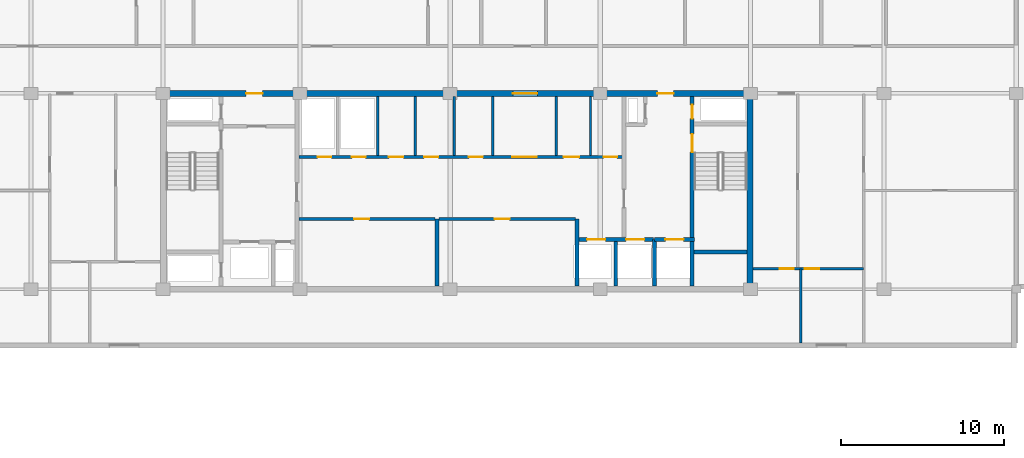
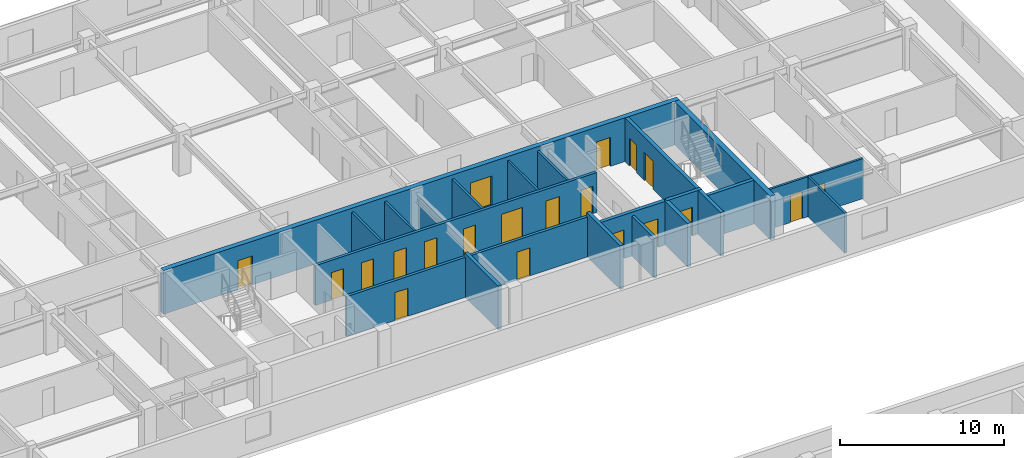
# One storey, part 12 of 22: 21 walls, 20 doors, 20 openings.
"""IFC4 building model written with IfcOpenShell, lengths in metres."""

from ifc_helpers import new_model, si_unit, direction, frame, frame_2d, origin, place, context, subcontext, project, spatial, rectangle, extrude, material, layer, layer_set, type_object, element, fill, save


model = new_model("IFC4")

# Units and contexts
model_context = context("Model", 3, precision=1e-05, world=origin(), true_north=direction((0.0, 1.0)))
body_context = subcontext(model_context, "Body", "Model", "MODEL_VIEW")
ifc_project = project(units=[si_unit("LENGTHUNIT", "METRE"), si_unit("AREAUNIT", "SQUARE_METRE"), si_unit("VOLUMEUNIT", "CUBIC_METRE"), si_unit("PLANEANGLEUNIT", "RADIAN"), si_unit("MASSUNIT", "GRAM", prefix="KILO")], contexts=[model_context])

# Site, building, storey
site_placement = place(None, origin())
site = spatial("IfcSite", under=ifc_project, at=site_placement, CompositionType="ELEMENT")
building_placement = place(site_placement, origin())
building = spatial("IfcBuilding", under=site, at=building_placement, Name="Korimba Cascade Residences", CompositionType="ELEMENT")
storey_placement = place(building_placement, frame((0.0, 0.0, 191.35009765625)))
storey = spatial("IfcBuildingStorey", under=building, at=storey_placement, Name="L55", CompositionType="ELEMENT", Elevation=191.35009765625)

# Wall
ifc_material_1 = material(Name="Concrete C65/80", Category="concrete")
ifc_layer_1 = layer(ifc_material_1, 0.35009765625)
ifc_layer_set_1 = layer_set([ifc_layer_1], Name="Concrete C65/80")
wall_type_1 = type_object("IfcWallType", Name="WAL-CORE-350", PredefinedType="SHEAR", material=ifc_layer_set_1)
wall_1_placement = place(storey_placement, frame((112.074951171875, 55.375, 0.0), z_axis=(0.0, 0.0, 1.0), x_axis=(0.0, 1.0, 0.0)))
element("IfcWall", 1, at=wall_1_placement, inside=storey, type_object=wall_type_1, Name="L55 Core Shear Wall CW-L55-T1-E", PredefinedType="SHEAR", context=body_context, shape_type="SweptSolid", body=[
    extrude(rectangle(XDim=11.64990234375, YDim=0.35009765625, at=frame_2d((5.824951171875, 0.0))), origin(), (0.0, 0.0, 1.0), 3.25),
])

# Wall, openings, doors
wall_2_placement = place(storey_placement, frame((75.949951171875, 67.199951171875, 0.0), z_axis=(0.0, 0.0, 1.0), x_axis=(1.0, 0.0, 0.0)))
wall_2 = element("IfcWall", 2, at=wall_2_placement, inside=storey, type_object=wall_type_1, Name="L55 Core Shear Wall CW-L55-T1-N", PredefinedType="SHEAR", context=body_context, shape_type="SweptSolid", body=[
    extrude(rectangle(XDim=36.300048828125, YDim=0.35009765625, at=frame_2d((18.14990234375, 0.0))), origin(), (0.0, 0.0, 1.0), 3.25),
])
opening_1_placement = place(wall_2_placement, frame((5.25, 0.0, 0.0)))
opening_1 = element("IfcOpeningElement", 3, at=opening_1_placement, cuts=wall_2, Name="Opening D-FD5", PredefinedType="OPENING", context=body_context, shape_type="SweptSolid", body=[
    extrude(rectangle(XDim=1.0, YDim=2.14990234375, at=frame_2d((0.5, 1.074951171875))), frame((0.0, 0.18505859375, 0.0), z_axis=(0.0, -1.0, 0.0), x_axis=(1.0, 0.0, 0.0)), (0.0, 0.0, 1.0), 0.3701171875),
])
opening_2_placement = place(wall_2_placement, frame((21.60009765625, 0.0, 0.0)))
opening_2 = element("IfcOpeningElement", 4, at=opening_2_placement, cuts=wall_2, Name="Opening D-FD8", PredefinedType="OPENING", context=body_context, shape_type="SweptSolid", body=[
    extrude(rectangle(XDim=1.5, YDim=2.199951171875, at=frame_2d((0.75, 1.10009765625))), frame((0.0, 0.18505859375, 0.0), z_axis=(0.0, -1.0, 0.0), x_axis=(1.0, 0.0, 0.0)), (0.0, 0.0, 1.0), 0.3701171875),
])
opening_3_placement = place(wall_2_placement, frame((30.449951171875, 0.0, 0.0)))
opening_3 = element("IfcOpeningElement", 5, at=opening_3_placement, cuts=wall_2, Name="Opening D-FD5", PredefinedType="OPENING", context=body_context, shape_type="SweptSolid", body=[
    extrude(rectangle(XDim=1.0, YDim=2.14990234375, at=frame_2d((0.5, 1.074951171875))), frame((0.0, 0.18505859375, 0.0), z_axis=(0.0, -1.0, 0.0), x_axis=(1.0, 0.0, 0.0)), (0.0, 0.0, 1.0), 0.3701171875),
])
ifc_material_2 = material(Name="Fire-Rated Acoustic Timber Vestibule Door", Category="wood")
door_type_1 = type_object("IfcDoorType", Name="DR-FD90-1000", OperationType="NOTDEFINED", PredefinedType="DOOR", material=ifc_material_2)
door_1_placement = place(opening_1_placement, origin())
door_1 = element("IfcDoor", 6, at=door_1_placement, inside=storey, type_object=door_type_1, Name="L55 T1 West Core Vestibule Fire Door", OperationType="SINGLE_SWING_RIGHT", OverallHeight=2.14990234375, OverallWidth=1.0, PredefinedType="DOOR", context=body_context, shape_type="SweptSolid", body=[
    extrude(rectangle(XDim=1.0, YDim=2.14990234375, at=frame_2d((0.5, 1.074951171875))), frame((0.0, 0.02490234375, 0.0), z_axis=(0.0, -1.0, 0.0), x_axis=(1.0, 0.0, 0.0)), (0.0, 0.0, 1.0), 0.050048828125),
])
fill(opening_1, door_1)
door_2_placement = place(opening_3_placement, origin())
door_2 = element("IfcDoor", 7, at=door_2_placement, inside=storey, type_object=door_type_1, Name="L55 T1 East Firefighting Vestibule Fire Door", OperationType="SINGLE_SWING_LEFT", OverallHeight=2.14990234375, OverallWidth=1.0, PredefinedType="DOOR", context=body_context, shape_type="SweptSolid", body=[
    extrude(rectangle(XDim=1.0, YDim=2.14990234375, at=frame_2d((0.5, 1.074951171875))), frame((0.0, 0.02490234375, 0.0), z_axis=(0.0, -1.0, 0.0), x_axis=(1.0, 0.0, 0.0)), (0.0, 0.0, 1.0), 0.050048828125),
])
fill(opening_3, door_2)
ifc_material_3 = material(Name="Fire-Rated Glazed Lift Lobby Double Door", Category="glass")
door_type_2 = type_object("IfcDoorType", Name="DR-FD90-1500", OperationType="NOTDEFINED", PredefinedType="DOOR", material=ifc_material_3)
door_3_placement = place(opening_2_placement, origin())
door_3 = element("IfcDoor", 8, at=door_3_placement, inside=storey, type_object=door_type_2, Name="L55 T1 Lift Lobby Fire Door", OperationType="DOUBLE_DOOR_SINGLE_SWING", OverallHeight=2.199951171875, OverallWidth=1.5, PredefinedType="DOOR", context=body_context, shape_type="SweptSolid", body=[
    extrude(rectangle(XDim=1.5, YDim=2.199951171875, at=frame_2d((0.75, 1.10009765625))), frame((0.0, 0.02490234375, 0.0), z_axis=(0.0, -1.0, 0.0), x_axis=(1.0, 0.0, 0.0)), (0.0, 0.0, 1.0), 0.050048828125),
])
fill(opening_2, door_3)

# Walls
ifc_material_4 = material(Name="Insulated Acoustic Stud Partition", Category="gypsum")
ifc_layer_2 = layer(ifc_material_4, 0.14990234375)
ifc_layer_set_2 = layer_set([ifc_layer_2], Name="Insulated Acoustic Stud Partition")
wall_type_2 = type_object("IfcWallType", Name="WAL-PART-150", PredefinedType="PARTITIONING", material=ifc_layer_set_2)
for number, where, z_axis, x_axis, name in (
    (9, (89.25, 63.39990234375, 0.0), (0.0, 0.0, 1.0), (0.0, 1.0, 0.0), "L55 Partition Wall CW-L55-T1-PRDIV"),
    (10, (91.550048828125, 63.39990234375, 0.0), (0.0, 0.0, 1.0), (0.0, 1.0, 0.0), "L55 Partition Wall CW-L55-T1-CA1W1"),
):
    element("IfcWall", number, at=place(storey_placement, frame(where, z_axis=z_axis, x_axis=x_axis)), inside=storey, type_object=wall_type_2, Name=name, PredefinedType="PARTITIONING", context=body_context, shape_type="SweptSolid", body=[
        extrude(rectangle(XDim=3.60009765625, YDim=0.14990234375, at=frame_2d((1.800048828125, 0.0))), origin(), (0.0, 0.0, 1.0), 2.969970703125),
    ])
wall_3_placement = place(storey_placement, frame((93.949951171875, 63.39990234375, 0.0), z_axis=(0.0, 0.0, 1.0), x_axis=(0.0, 1.0, 0.0)))
element("IfcWall", 11, at=wall_3_placement, inside=storey, type_object=wall_type_2, Name="L55 Partition Wall CW-L55-T1-CA1W2", PredefinedType="PARTITIONING", context=body_context, shape_type="SweptSolid", body=[
    extrude(rectangle(XDim=3.60009765625, YDim=0.14990234375, at=frame_2d((1.800048828125, 0.0))), origin(), (0.0, 0.0, 1.0), 2.277099609375),
])
for number, where, z_axis, x_axis, name in (
    (12, (102.300048828125, 63.39990234375, 0.0), (0.0, 0.0, 1.0), (0.0, 1.0, 0.0), "L55 Partition Wall CW-L55-T1-CA1E1"),
    (13, (96.300048828125, 63.39990234375, 0.0), (0.0, 0.0, 1.0), (0.0, 1.0, 0.0), "L55 Partition Wall CW-L55-T1-THW"),
    (14, (100.199951171875, 63.39990234375, 0.0), (0.0, 0.0, 1.0), (0.0, 1.0, 0.0), "L55 Partition Wall CW-L55-T1-THE"),
):
    element("IfcWall", number, at=place(storey_placement, frame(where, z_axis=z_axis, x_axis=x_axis)), inside=storey, type_object=wall_type_2, Name=name, PredefinedType="PARTITIONING", context=body_context, shape_type="SweptSolid", body=[
        extrude(rectangle(XDim=3.60009765625, YDim=0.14990234375, at=frame_2d((1.800048828125, 0.0))), origin(), (0.0, 0.0, 1.0), 2.969970703125),
    ])
wall_4_placement = place(storey_placement, frame((115.199951171875, 51.89990234375, 0.0), z_axis=(0.0, 0.0, 1.0), x_axis=(0.0, 1.0, 0.0)))
element("IfcWall", 15, at=wall_4_placement, inside=storey, type_object=wall_type_2, Name="L55 Partition Wall WAL-L55-T1-FE-VS", PredefinedType="PARTITIONING", context=body_context, shape_type="SweptSolid", body=[
    extrude(rectangle(XDim=4.550048828125, YDim=0.14990234375, at=frame_2d((2.27490234375, 0.0))), origin(), (0.0, 0.0, 1.0), 2.969970703125),
])

# Wall, openings, doors
wall_5_placement = place(storey_placement, frame((112.27001953125, 56.449951171875, 0.0), z_axis=(0.0, 0.0, 1.0), x_axis=(1.0, 0.0, 0.0)))
wall_5 = element("IfcWall", 16, at=wall_5_placement, inside=storey, type_object=wall_type_2, Name="L55 Partition Wall WAL-L55-T1-FE-H", PredefinedType="PARTITIONING", context=body_context, shape_type="SweptSolid", body=[
    extrude(rectangle(XDim=6.760009765625, YDim=0.14990234375, at=frame_2d((3.3798828125, 0.0))), origin(), (0.0, 0.0, 1.0), 2.969970703125),
])
opening_4_placement = place(wall_5_placement, frame((1.6396484375, 0.0, 0.0)))
opening_4 = element("IfcOpeningElement", 17, at=opening_4_placement, cuts=wall_5, Name="Opening D-BT1", PredefinedType="OPENING", context=body_context, shape_type="SweptSolid", body=[
    extrude(rectangle(XDim=0.840087890625, YDim=2.0400390625, at=frame_2d((0.419921875, 1.02001953125))), frame((0.0, 0.0849609375, 0.0), z_axis=(0.0, -1.0, 0.0), x_axis=(1.0, 0.0, 0.0)), (0.0, 0.0, 1.0), 0.169921875),
])
opening_5_placement = place(wall_5_placement, frame((3.160400390625, 0.0, 0.0)))
opening_5 = element("IfcOpeningElement", 18, at=opening_5_placement, cuts=wall_5, Name="Opening D-IN2", PredefinedType="OPENING", context=body_context, shape_type="SweptSolid", body=[
    extrude(rectangle(XDim=0.8798828125, YDim=2.06005859375, at=frame_2d((0.43994140625, 1.030029296875))), frame((0.0, 0.0849609375, 0.0), z_axis=(0.0, -1.0, 0.0), x_axis=(1.0, 0.0, 0.0)), (0.0, 0.0, 1.0), 0.169921875),
])
ifc_material_5 = material(Name="Moisture-Resistant Bathroom Timber Door", Category="wood")
door_type_3 = type_object("IfcDoorType", Name="DR-INT-850", OperationType="NOTDEFINED", PredefinedType="DOOR", material=ifc_material_5)
door_4_placement = place(opening_4_placement, origin())
door_4 = element("IfcDoor", 19, at=door_4_placement, inside=storey, type_object=door_type_3, Name="L55-T1-FE Bathroom Door", OperationType="SINGLE_SWING_RIGHT", OverallHeight=2.0400390625, OverallWidth=0.840087890625, PredefinedType="DOOR", context=body_context, shape_type="SweptSolid", body=[
    extrude(rectangle(XDim=0.840087890625, YDim=2.0400390625, at=frame_2d((0.419921875, 1.02001953125))), frame((0.0, 0.02490234375, 0.0), z_axis=(0.0, -1.0, 0.0), x_axis=(1.0, 0.0, 0.0)), (0.0, 0.0, 1.0), 0.050048828125),
])
fill(opening_4, door_4)
ifc_material_6 = material(Name="Acoustic Timber Bedroom Door", Category="wood")
door_type_4 = type_object("IfcDoorType", Name="DR-INT-880", OperationType="NOTDEFINED", PredefinedType="DOOR", material=ifc_material_6)
door_5_placement = place(opening_5_placement, origin())
door_5 = element("IfcDoor", 20, at=door_5_placement, inside=storey, type_object=door_type_4, Name="L55-T1-FE Bedroom Door", OperationType="SINGLE_SWING_LEFT", OverallHeight=2.06005859375, OverallWidth=0.8798828125, PredefinedType="DOOR", context=body_context, shape_type="SweptSolid", body=[
    extrude(rectangle(XDim=0.8798828125, YDim=2.06005859375, at=frame_2d((0.43994140625, 1.030029296875))), frame((0.0, 0.02490234375, 0.0), z_axis=(0.0, -1.0, 0.0), x_axis=(1.0, 0.0, 0.0)), (0.0, 0.0, 1.0), 0.050048828125),
])
fill(opening_5, door_5)

# Wall, opening, door
ifc_material_7 = material(Name="Concrete C40/50", Category="concrete")
ifc_layer_3 = layer(ifc_material_7, 0.199951171875)
ifc_layer_set_3 = layer_set([ifc_layer_3], Name="Concrete C40/50")
wall_type_3 = type_object("IfcWallType", Name="WAL-PART-200", PredefinedType="PARTITIONING", material=ifc_layer_set_3)
wall_6_placement = place(storey_placement, frame((84.419921875, 59.5, 0.0), z_axis=(0.0, 0.0, 1.0), x_axis=(1.0, 0.0, 0.0)))
wall_6 = element("IfcWall", 21, at=wall_6_placement, inside=storey, type_object=wall_type_3, Name="L55 Partition Wall CW-L55-T1-B1RN", PredefinedType="PARTITIONING", context=body_context, shape_type="SweptSolid", body=[
    extrude(rectangle(XDim=8.360107421875, YDim=0.199951171875, at=frame_2d((4.18017578125, 0.0))), origin(), (0.0, 0.0, 1.0), 2.969970703125),
])
opening_6_placement = place(wall_6_placement, frame((3.39990234375, 0.0, 0.0)))
opening_6 = element("IfcOpeningElement", 22, at=opening_6_placement, cuts=wall_6, Name="Opening D-ST1", PredefinedType="OPENING", context=body_context, shape_type="SweptSolid", body=[
    extrude(rectangle(XDim=0.919921875, YDim=2.080078125, at=frame_2d((0.4599609375, 1.0400390625))), frame((0.0, 0.10986328125, 0.0), z_axis=(0.0, -1.0, 0.0), x_axis=(1.0, 0.0, 0.0)), (0.0, 0.0, 1.0), 0.219970703125),
])
ifc_material_8 = material(Name="Fire-Rated Core Store Door", Category="wood")
door_type_5 = type_object("IfcDoorType", Name="DR-FD60-920", OperationType="NOTDEFINED", PredefinedType="DOOR", material=ifc_material_8)
door_6_placement = place(opening_6_placement, origin())
door_6 = element("IfcDoor", 23, at=door_6_placement, inside=storey, type_object=door_type_5, Name="L55 Resident Storage Door", OperationType="SINGLE_SWING_RIGHT", OverallHeight=2.080078125, OverallWidth=0.919921875, PredefinedType="DOOR", context=body_context, shape_type="SweptSolid", body=[
    extrude(rectangle(XDim=0.919921875, YDim=2.080078125, at=frame_2d((0.4599609375, 1.0400390625))), frame((0.0, 0.02490234375, 0.0), z_axis=(0.0, -1.0, 0.0), x_axis=(1.0, 0.0, 0.0)), (0.0, 0.0, 1.0), 0.050048828125),
])
fill(opening_6, door_6)

wall_7_placement = place(storey_placement, frame((93.02001953125, 59.5, 0.0), z_axis=(0.0, 0.0, 1.0), x_axis=(1.0, 0.0, 0.0)))
wall_7 = element("IfcWall", 24, at=wall_7_placement, inside=storey, type_object=wall_type_3, Name="L55 Partition Wall CW-L55-T1-B2RN", PredefinedType="PARTITIONING", context=body_context, shape_type="SweptSolid", body=[
    extrude(rectangle(XDim=8.35986328125, YDim=0.199951171875, at=frame_2d((4.179931640625, 0.0))), origin(), (0.0, 0.0, 1.0), 2.969970703125),
])
opening_7_placement = place(wall_7_placement, frame((3.39990234375, 0.0, 0.0)))
opening_7 = element("IfcOpeningElement", 25, at=opening_7_placement, cuts=wall_7, Name="Opening D-ST1", PredefinedType="OPENING", context=body_context, shape_type="SweptSolid", body=[
    extrude(rectangle(XDim=0.919921875, YDim=2.080078125, at=frame_2d((0.4599609375, 1.0400390625))), frame((0.0, 0.10986328125, 0.0), z_axis=(0.0, -1.0, 0.0), x_axis=(1.0, 0.0, 0.0)), (0.0, 0.0, 1.0), 0.219970703125),
])
door_7_placement = place(opening_7_placement, origin())
door_7 = element("IfcDoor", 26, at=door_7_placement, inside=storey, type_object=door_type_5, Name="L55 Wine Cellar Store Door", OperationType="SINGLE_SWING_LEFT", OverallHeight=2.080078125, OverallWidth=0.919921875, PredefinedType="DOOR", context=body_context, shape_type="SweptSolid", body=[
    extrude(rectangle(XDim=0.919921875, YDim=2.080078125, at=frame_2d((0.4599609375, 1.0400390625))), frame((0.0, 0.02490234375, 0.0), z_axis=(0.0, -1.0, 0.0), x_axis=(1.0, 0.0, 0.0)), (0.0, 0.0, 1.0), 0.050048828125),
])
fill(opening_7, door_7)

# Wall
wall_8_placement = place(storey_placement, frame((103.85009765625, 55.39990234375, 0.0), z_axis=(0.0, 0.0, 1.0), x_axis=(0.0, 1.0, 0.0)))
element("IfcWall", 27, at=wall_8_placement, inside=storey, type_object=wall_type_3, Name="L55 Partition Wall CW-L55-T1-B3D1", PredefinedType="PARTITIONING", context=body_context, shape_type="SweptSolid", body=[
    extrude(rectangle(XDim=2.72021484375, YDim=0.199951171875, at=frame_2d((1.360107421875, 0.0))), origin(), (0.0, 0.0, 1.0), 2.969970703125),
])

# Wall, openings, doors
wall_9_placement = place(storey_placement, frame((84.419921875, 63.300048828125, 0.0), z_axis=(0.0, 0.0, 1.0), x_axis=(1.0, 0.0, 0.0)))
wall_9 = element("IfcWall", 28, at=wall_9_placement, inside=storey, type_object=wall_type_3, Name="L55 Partition Wall CW-L55-T1-SRVROW", PredefinedType="PARTITIONING", context=body_context, shape_type="SweptSolid", body=[
    extrude(rectangle(XDim=19.830078125, YDim=0.199951171875, at=frame_2d((9.9150390625, 0.0))), origin(), (0.0, 0.0, 1.0), 2.969970703125),
])
opening_8_placement = place(wall_9_placement, frame((1.14990234375, 0.0, 0.0)))
opening_8 = element("IfcOpeningElement", 29, at=opening_8_placement, cuts=wall_9, Name="Opening D-RS1", PredefinedType="OPENING", context=body_context, shape_type="SweptSolid", body=[
    extrude(rectangle(XDim=0.85009765625, YDim=2.050048828125, at=frame_2d((0.425048828125, 1.02490234375))), frame((0.0, 0.10986328125, 0.0), z_axis=(0.0, -1.0, 0.0), x_axis=(1.0, 0.0, 0.0)), (0.0, 0.0, 1.0), 0.219970703125),
])
opening_9_placement = place(wall_9_placement, frame((3.25, 0.0, 0.0)))
opening_9 = element("IfcOpeningElement", 30, at=opening_9_placement, cuts=wall_9, Name="Opening D-RS1", PredefinedType="OPENING", context=body_context, shape_type="SweptSolid", body=[
    extrude(rectangle(XDim=0.85009765625, YDim=2.050048828125, at=frame_2d((0.425048828125, 1.02490234375))), frame((0.0, 0.10986328125, 0.0), z_axis=(0.0, -1.0, 0.0), x_axis=(1.0, 0.0, 0.0)), (0.0, 0.0, 1.0), 0.219970703125),
])
opening_10_placement = place(wall_9_placement, frame((13.080078125, 0.0, 0.0)))
opening_10 = element("IfcOpeningElement", 31, at=opening_10_placement, cuts=wall_9, Name="Opening D-FD8", PredefinedType="OPENING", context=body_context, shape_type="SweptSolid", body=[
    extrude(rectangle(XDim=1.5, YDim=2.199951171875, at=frame_2d((0.75, 1.10009765625))), frame((0.0, 0.10986328125, 0.0), z_axis=(0.0, -1.0, 0.0), x_axis=(1.0, 0.0, 0.0)), (0.0, 0.0, 1.0), 0.219970703125),
])
opening_11_placement = place(wall_9_placement, frame((5.530029296875, 0.0, 0.0)))
opening_11 = element("IfcOpeningElement", 32, at=opening_11_placement, cuts=wall_9, Name="Opening D-IN2", PredefinedType="OPENING", context=body_context, shape_type="SweptSolid", body=[
    extrude(rectangle(XDim=0.8798828125, YDim=2.06005859375, at=frame_2d((0.43994140625, 1.030029296875))), frame((0.0, 0.10986328125, 0.0), z_axis=(0.0, -1.0, 0.0), x_axis=(1.0, 0.0, 0.0)), (0.0, 0.0, 1.0), 0.219970703125),
])
opening_12_placement = place(wall_9_placement, frame((7.679931640625, 0.0, 0.0)))
opening_12 = element("IfcOpeningElement", 33, at=opening_12_placement, cuts=wall_9, Name="Opening D-IN2", PredefinedType="OPENING", context=body_context, shape_type="SweptSolid", body=[
    extrude(rectangle(XDim=0.8798828125, YDim=2.06005859375, at=frame_2d((0.43994140625, 1.030029296875))), frame((0.0, 0.10986328125, 0.0), z_axis=(0.0, -1.0, 0.0), x_axis=(1.0, 0.0, 0.0)), (0.0, 0.0, 1.0), 0.219970703125),
])
opening_13_placement = place(wall_9_placement, frame((10.429931640625, 0.0, 0.0)))
opening_13 = element("IfcOpeningElement", 34, at=opening_13_placement, cuts=wall_9, Name="Opening D-RS1", PredefinedType="OPENING", context=body_context, shape_type="SweptSolid", body=[
    extrude(rectangle(XDim=0.85009765625, YDim=2.050048828125, at=frame_2d((0.425048828125, 1.02490234375))), frame((0.0, 0.10986328125, 0.0), z_axis=(0.0, -1.0, 0.0), x_axis=(1.0, 0.0, 0.0)), (0.0, 0.0, 1.0), 0.219970703125),
])
opening_14_placement = place(wall_9_placement, frame((16.22998046875, 0.0, 0.0)))
opening_14 = element("IfcOpeningElement", 35, at=opening_14_placement, cuts=wall_9, Name="Opening D-AC1", PredefinedType="OPENING", context=body_context, shape_type="SweptSolid", body=[
    extrude(rectangle(XDim=0.9599609375, YDim=2.10009765625, at=frame_2d((0.47998046875, 1.050048828125))), frame((0.0, 0.10986328125, 0.0), z_axis=(0.0, -1.0, 0.0), x_axis=(1.0, 0.0, 0.0)), (0.0, 0.0, 1.0), 0.219970703125),
])
opening_15_placement = place(wall_9_placement, frame((18.679931640625, 0.0, 0.0)))
opening_15 = element("IfcOpeningElement", 36, at=opening_15_placement, cuts=wall_9, Name="Opening D-BT1", PredefinedType="OPENING", context=body_context, shape_type="SweptSolid", body=[
    extrude(rectangle(XDim=0.840087890625, YDim=2.0400390625, at=frame_2d((0.419921875, 1.02001953125))), frame((0.0, 0.10986328125, 0.0), z_axis=(0.0, -1.0, 0.0), x_axis=(1.0, 0.0, 0.0)), (0.0, 0.0, 1.0), 0.219970703125),
])
ifc_material_9 = material(Name="Accessible Acoustic Timber WC Door", Category="wood")
door_type_6 = type_object("IfcDoorType", Name="DR-ACC-950", OperationType="NOTDEFINED", PredefinedType="DOOR", material=ifc_material_9)
door_8_placement = place(opening_14_placement, origin())
door_8 = element("IfcDoor", 37, at=door_8_placement, inside=storey, type_object=door_type_6, Name="L55 Accessible Staff WC Door", OperationType="SINGLE_SWING_LEFT", OverallHeight=2.10009765625, OverallWidth=0.9599609375, PredefinedType="DOOR", context=body_context, shape_type="SweptSolid", body=[
    extrude(rectangle(XDim=0.9599609375, YDim=2.10009765625, at=frame_2d((0.47998046875, 1.050048828125))), frame((0.0, 0.02490234375, 0.0), z_axis=(0.0, -1.0, 0.0), x_axis=(1.0, 0.0, 0.0)), (0.0, 0.0, 1.0), 0.050048828125),
])
fill(opening_14, door_8)
ifc_material_10 = material(Name="Fire-Rated Steel Riser Access Door", Category="steel")
door_type_7 = type_object("IfcDoorType", Name="DR-FD60-850", OperationType="NOTDEFINED", PredefinedType="DOOR", material=ifc_material_10)
door_9_placement = place(opening_8_placement, origin())
door_9 = element("IfcDoor", 38, at=door_9_placement, inside=storey, type_object=door_type_7, Name="L55 Electrical Riser Door", OperationType="SINGLE_SWING_RIGHT", OverallHeight=2.050048828125, OverallWidth=0.85009765625, PredefinedType="DOOR", context=body_context, shape_type="SweptSolid", body=[
    extrude(rectangle(XDim=0.85009765625, YDim=2.050048828125, at=frame_2d((0.425048828125, 1.02490234375))), frame((0.0, 0.02490234375, 0.0), z_axis=(0.0, -1.0, 0.0), x_axis=(1.0, 0.0, 0.0)), (0.0, 0.0, 1.0), 0.050048828125),
])
fill(opening_8, door_9)
door_10_placement = place(opening_9_placement, origin())
door_10 = element("IfcDoor", 39, at=door_10_placement, inside=storey, type_object=door_type_7, Name="L55 Plumbing Riser Door", OperationType="SINGLE_SWING_LEFT", OverallHeight=2.050048828125, OverallWidth=0.85009765625, PredefinedType="DOOR", context=body_context, shape_type="SweptSolid", body=[
    extrude(rectangle(XDim=0.85009765625, YDim=2.050048828125, at=frame_2d((0.425048828125, 1.02490234375))), frame((0.0, 0.02490234375, 0.0), z_axis=(0.0, -1.0, 0.0), x_axis=(1.0, 0.0, 0.0)), (0.0, 0.0, 1.0), 0.050048828125),
])
fill(opening_9, door_10)
door_11_placement = place(opening_13_placement, origin())
door_11 = element("IfcDoor", 40, at=door_11_placement, inside=storey, type_object=door_type_7, Name="L55 IT Room Door", OperationType="SINGLE_SWING_RIGHT", OverallHeight=2.050048828125, OverallWidth=0.85009765625, PredefinedType="DOOR", context=body_context, shape_type="SweptSolid", body=[
    extrude(rectangle(XDim=0.85009765625, YDim=2.050048828125, at=frame_2d((0.425048828125, 1.02490234375))), frame((0.0, 0.02490234375, 0.0), z_axis=(0.0, -1.0, 0.0), x_axis=(1.0, 0.0, 0.0)), (0.0, 0.0, 1.0), 0.050048828125),
])
fill(opening_13, door_11)
door_12_placement = place(opening_10_placement, origin())
door_12 = element("IfcDoor", 41, at=door_12_placement, inside=storey, type_object=door_type_2, Name="L55 Lift Lobby Foyer Archway Door", OperationType="DOUBLE_DOOR_SINGLE_SWING", OverallHeight=2.199951171875, OverallWidth=1.5, PredefinedType="DOOR", context=body_context, shape_type="SweptSolid", body=[
    extrude(rectangle(XDim=1.5, YDim=2.199951171875, at=frame_2d((0.75, 1.10009765625))), frame((0.0, 0.02490234375, 0.0), z_axis=(0.0, -1.0, 0.0), x_axis=(1.0, 0.0, 0.0)), (0.0, 0.0, 1.0), 0.050048828125),
])
fill(opening_10, door_12)
door_13_placement = place(opening_15_placement, origin())
door_13 = element("IfcDoor", 42, at=door_13_placement, inside=storey, type_object=door_type_3, Name="L55 Vending Room Door", OperationType="SINGLE_SWING_RIGHT", OverallHeight=2.0400390625, OverallWidth=0.840087890625, PredefinedType="DOOR", context=body_context, shape_type="SweptSolid", body=[
    extrude(rectangle(XDim=0.840087890625, YDim=2.0400390625, at=frame_2d((0.419921875, 1.02001953125))), frame((0.0, 0.02490234375, 0.0), z_axis=(0.0, -1.0, 0.0), x_axis=(1.0, 0.0, 0.0)), (0.0, 0.0, 1.0), 0.050048828125),
])
fill(opening_15, door_13)
door_14_placement = place(opening_11_placement, origin())
door_14 = element("IfcDoor", 43, at=door_14_placement, inside=storey, type_object=door_type_4, Name="L55 Cleaners Door", OperationType="SINGLE_SWING_RIGHT", OverallHeight=2.06005859375, OverallWidth=0.8798828125, PredefinedType="DOOR", context=body_context, shape_type="SweptSolid", body=[
    extrude(rectangle(XDim=0.8798828125, YDim=2.06005859375, at=frame_2d((0.43994140625, 1.030029296875))), frame((0.0, 0.02490234375, 0.0), z_axis=(0.0, -1.0, 0.0), x_axis=(1.0, 0.0, 0.0)), (0.0, 0.0, 1.0), 0.050048828125),
])
fill(opening_11, door_14)
door_15_placement = place(opening_12_placement, origin())
door_15 = element("IfcDoor", 44, at=door_15_placement, inside=storey, type_object=door_type_4, Name="L55 Pantry Door", OperationType="SINGLE_SWING_LEFT", OverallHeight=2.06005859375, OverallWidth=0.8798828125, PredefinedType="DOOR", context=body_context, shape_type="SweptSolid", body=[
    extrude(rectangle(XDim=0.8798828125, YDim=2.06005859375, at=frame_2d((0.43994140625, 1.030029296875))), frame((0.0, 0.02490234375, 0.0), z_axis=(0.0, -1.0, 0.0), x_axis=(1.0, 0.0, 0.0)), (0.0, 0.0, 1.0), 0.050048828125),
])
fill(opening_12, door_15)

# Walls
ifc_material_11 = material(Name="Concrete C50/60", Category="concrete")
ifc_layer_4 = layer(ifc_material_11, 0.25)
ifc_layer_set_4 = layer_set([ifc_layer_4], Name="Concrete C50/60")
wall_type_4 = type_object("IfcWallType", Name="WAL-SHAFT-250", PredefinedType="SHEAR", material=ifc_layer_set_4)
for number, where, z_axis, x_axis, name in (
    (45, (92.89990234375, 55.39990234375, 0.0), (0.0, 0.0, 1.0), (0.0, 1.0, 0.0), "L55 Core Shear Wall CW-L55-T1-B12DIV"),
    (46, (101.47998046875, 55.39990234375, 0.0), (0.0, 0.0, 1.0), (0.0, 1.0, 0.0), "L55 Core Shear Wall CW-L55-T1-B23DIV"),
):
    element("IfcWall", number, at=place(storey_placement, frame(where, z_axis=z_axis, x_axis=x_axis)), inside=storey, type_object=wall_type_4, Name=name, PredefinedType="SHEAR", context=body_context, shape_type="SweptSolid", body=[
        extrude(rectangle(XDim=4.10009765625, YDim=0.25, at=frame_2d((2.050048828125, 0.0))), origin(), (0.0, 0.0, 1.0), 3.25),
    ])

# Wall, openings, doors
wall_10_placement = place(storey_placement, frame((101.550048828125, 58.25, 0.0), z_axis=(0.0, 0.0, 1.0), x_axis=(1.0, 0.0, 0.0)))
wall_10 = element("IfcWall", 47, at=wall_10_placement, inside=storey, type_object=wall_type_4, Name="L55 Core Shear Wall CW-L55-T1-B3N", PredefinedType="SHEAR", context=body_context, shape_type="SweptSolid", body=[
    extrude(rectangle(XDim=4.599853515625, YDim=0.25, at=frame_2d((2.2998046875, 0.0))), origin(), (0.0, 0.0, 1.0), 3.25),
])
opening_16_placement = place(wall_10_placement, frame((0.5400390625, 0.0, 0.0)))
opening_16 = element("IfcOpeningElement", 48, at=opening_16_placement, cuts=wall_10, Name="Opening LD-01", PredefinedType="OPENING", context=body_context, shape_type="SweptSolid", body=[
    extrude(rectangle(XDim=1.1201171875, YDim=2.1201171875, at=frame_2d((0.56005859375, 1.06005859375))), frame((0.0, 0.135009765625, 0.0), z_axis=(0.0, -1.0, 0.0), x_axis=(1.0, 0.0, 0.0)), (0.0, 0.0, 1.0), 0.27001953125),
])
opening_17_placement = place(wall_10_placement, frame((2.93994140625, 0.0, 0.0)))
opening_17 = element("IfcOpeningElement", 49, at=opening_17_placement, cuts=wall_10, Name="Opening LD-01", PredefinedType="OPENING", context=body_context, shape_type="SweptSolid", body=[
    extrude(rectangle(XDim=1.1201171875, YDim=2.1201171875, at=frame_2d((0.56005859375, 1.06005859375))), frame((0.0, 0.135009765625, 0.0), z_axis=(0.0, -1.0, 0.0), x_axis=(1.0, 0.0, 0.0)), (0.0, 0.0, 1.0), 0.27001953125),
])
ifc_material_12 = material(Name="Stainless Steel Lift Landing Sliding Door", Category="steel")
door_type_8 = type_object("IfcDoorType", Name="DR-LIFT-1100", OperationType="NOTDEFINED", PredefinedType="DOOR", material=ifc_material_12)
door_16_placement = place(opening_16_placement, origin())
door_16 = element("IfcDoor", 50, at=door_16_placement, inside=storey, type_object=door_type_8, Name="L55 Lift Landing Door PL-W7", OperationType="SLIDING_TO_LEFT", OverallHeight=2.1201171875, OverallWidth=1.1201171875, PredefinedType="DOOR", context=body_context, shape_type="SweptSolid", body=[
    extrude(rectangle(XDim=1.1201171875, YDim=2.1201171875, at=frame_2d((0.56005859375, 1.06005859375))), frame((0.0, 0.02490234375, 0.0), z_axis=(0.0, -1.0, 0.0), x_axis=(1.0, 0.0, 0.0)), (0.0, 0.0, 1.0), 0.050048828125),
])
fill(opening_16, door_16)
door_17_placement = place(opening_17_placement, origin())
door_17 = element("IfcDoor", 51, at=door_17_placement, inside=storey, type_object=door_type_8, Name="L55 Lift Landing Door PL-W8", OperationType="SLIDING_TO_LEFT", OverallHeight=2.1201171875, OverallWidth=1.1201171875, PredefinedType="DOOR", context=body_context, shape_type="SweptSolid", body=[
    extrude(rectangle(XDim=1.1201171875, YDim=2.1201171875, at=frame_2d((0.56005859375, 1.06005859375))), frame((0.0, 0.02490234375, 0.0), z_axis=(0.0, -1.0, 0.0), x_axis=(1.0, 0.0, 0.0)), (0.0, 0.0, 1.0), 0.050048828125),
])
fill(opening_17, door_17)

# Wall
wall_11_placement = place(storey_placement, frame((106.219970703125, 55.39990234375, 0.0), z_axis=(0.0, 0.0, 1.0), x_axis=(0.0, 1.0, 0.0)))
element("IfcWall", 52, at=wall_11_placement, inside=storey, type_object=wall_type_4, Name="L55 Core Shear Wall CW-L55-T1-FF2W", PredefinedType="SHEAR", context=body_context, shape_type="SweptSolid", body=[
    extrude(rectangle(XDim=2.85009765625, YDim=0.25, at=frame_2d((1.425048828125, 0.0))), origin(), (0.0, 0.0, 1.0), 3.25),
])

# Wall, opening, door
wall_12_placement = place(storey_placement, frame((106.219970703125, 58.25, 0.0), z_axis=(0.0, 0.0, 1.0), x_axis=(1.0, 0.0, 0.0)))
wall_12 = element("IfcWall", 53, at=wall_12_placement, inside=storey, type_object=wall_type_4, Name="L55 Core Shear Wall CW-L55-T1-FF2N", PredefinedType="SHEAR", context=body_context, shape_type="SweptSolid", body=[
    extrude(rectangle(XDim=2.4599609375, YDim=0.25, at=frame_2d((1.22998046875, 0.0))), origin(), (0.0, 0.0, 1.0), 3.25),
])
opening_18_placement = place(wall_12_placement, frame((0.669921875, 0.0, 0.0)))
opening_18 = element("IfcOpeningElement", 54, at=opening_18_placement, cuts=wall_12, Name="Opening LD-01", PredefinedType="OPENING", context=body_context, shape_type="SweptSolid", body=[
    extrude(rectangle(XDim=1.1201171875, YDim=2.1201171875, at=frame_2d((0.56005859375, 1.06005859375))), frame((0.0, 0.135009765625, 0.0), z_axis=(0.0, -1.0, 0.0), x_axis=(1.0, 0.0, 0.0)), (0.0, 0.0, 1.0), 0.27001953125),
])
door_18_placement = place(opening_18_placement, origin())
door_18 = element("IfcDoor", 55, at=door_18_placement, inside=storey, type_object=door_type_8, Name="L55 Firefighting Lift Landing Door FFL-W2", OperationType="SLIDING_TO_RIGHT", OverallHeight=2.1201171875, OverallWidth=1.1201171875, PredefinedType="DOOR", context=body_context, shape_type="SweptSolid", body=[
    extrude(rectangle(XDim=1.1201171875, YDim=2.1201171875, at=frame_2d((0.56005859375, 1.06005859375))), frame((0.0, 0.02490234375, 0.0), z_axis=(0.0, -1.0, 0.0), x_axis=(1.0, 0.0, 0.0)), (0.0, 0.0, 1.0), 0.050048828125),
])
fill(opening_18, door_18)

# Wall, openings, doors
wall_13_placement = place(storey_placement, frame((108.534912109375, 55.39990234375, 0.0), z_axis=(0.0, 0.0, 1.0), x_axis=(0.0, 1.0, 0.0)))
wall_13 = element("IfcWall", 56, at=wall_13_placement, inside=storey, type_object=wall_type_4, Name="L55 Core Shear Wall CW-L55-T1-STW2W", PredefinedType="SHEAR", context=body_context, shape_type="SweptSolid", body=[
    extrude(rectangle(XDim=11.60009765625, YDim=0.25, at=frame_2d((5.800048828125, 0.0))), origin(), (0.0, 0.0, 1.0), 3.25),
])
opening_19_placement = place(wall_13_placement, frame((8.199951171875, 0.0, 0.0)))
opening_19 = element("IfcOpeningElement", 57, at=opening_19_placement, cuts=wall_13, Name="Opening D-FD1", PredefinedType="OPENING", context=body_context, shape_type="SweptSolid", body=[
    extrude(rectangle(XDim=1.10009765625, YDim=2.10009765625, at=frame_2d((0.550048828125, 1.050048828125))), frame((0.0, 0.135009765625, 0.0), z_axis=(0.0, -1.0, 0.0), x_axis=(1.0, 0.0, 0.0)), (0.0, 0.0, 1.0), 0.27001953125),
])
opening_20_placement = place(wall_13_placement, frame((10.25, 0.0, 0.0)))
opening_20 = element("IfcOpeningElement", 58, at=opening_20_placement, cuts=wall_13, Name="Opening D-RS1", PredefinedType="OPENING", context=body_context, shape_type="SweptSolid", body=[
    extrude(rectangle(XDim=0.85009765625, YDim=2.050048828125, at=frame_2d((0.425048828125, 1.02490234375))), frame((0.0, 0.135009765625, 0.0), z_axis=(0.0, -1.0, 0.0), x_axis=(1.0, 0.0, 0.0)), (0.0, 0.0, 1.0), 0.27001953125),
])
ifc_material_13 = material(Name="Fire-Rated Steel Core Door", Category="steel")
door_type_9 = type_object("IfcDoorType", Name="DR-FD120-1100", OperationType="NOTDEFINED", PredefinedType="DOOR", material=ifc_material_13)
door_19_placement = place(opening_19_placement, origin())
door_19 = element("IfcDoor", 59, at=door_19_placement, inside=storey, type_object=door_type_9, Name="L55 Fire Stair ST-W2 Door", OperationType="SINGLE_SWING_LEFT", OverallHeight=2.10009765625, OverallWidth=1.10009765625, PredefinedType="DOOR", context=body_context, shape_type="SweptSolid", body=[
    extrude(rectangle(XDim=1.10009765625, YDim=2.10009765625, at=frame_2d((0.550048828125, 1.050048828125))), frame((0.0, 0.02490234375, 0.0), z_axis=(0.0, -1.0, 0.0), x_axis=(1.0, 0.0, 0.0)), (0.0, 0.0, 1.0), 0.050048828125),
])
fill(opening_19, door_19)
door_20_placement = place(opening_20_placement, origin())
door_20 = element("IfcDoor", 60, at=door_20_placement, inside=storey, type_object=door_type_7, Name="L55 East Riser Door", OperationType="SINGLE_SWING_RIGHT", OverallHeight=2.050048828125, OverallWidth=0.85009765625, PredefinedType="DOOR", context=body_context, shape_type="SweptSolid", body=[
    extrude(rectangle(XDim=0.85009765625, YDim=2.050048828125, at=frame_2d((0.425048828125, 1.02490234375))), frame((0.0, 0.02490234375, 0.0), z_axis=(0.0, -1.0, 0.0), x_axis=(1.0, 0.0, 0.0)), (0.0, 0.0, 1.0), 0.050048828125),
])
fill(opening_20, door_20)

# Wall
wall_14_placement = place(storey_placement, frame((108.659912109375, 57.47509765625, 0.0), z_axis=(0.0, 0.0, 1.0), x_axis=(1.0, 0.0, 0.0)))
element("IfcWall", 61, at=wall_14_placement, inside=storey, type_object=wall_type_4, Name="L55 Core Shear Wall CW-L55-T1-STW2S", PredefinedType="SHEAR", context=body_context, shape_type="SweptSolid", body=[
    extrude(rectangle(XDim=3.239990234375, YDim=0.25, at=frame_2d((1.6201171875, 0.0))), origin(), (0.0, 0.0, 1.0), 3.25),
])

save(model, "model.ifc")
